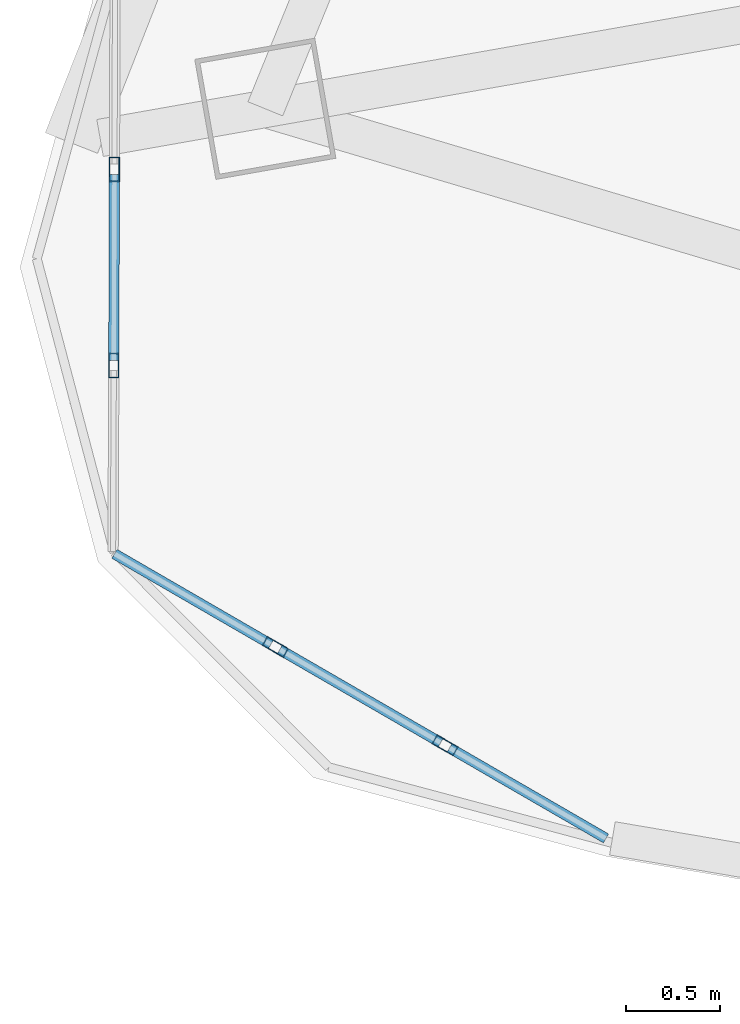
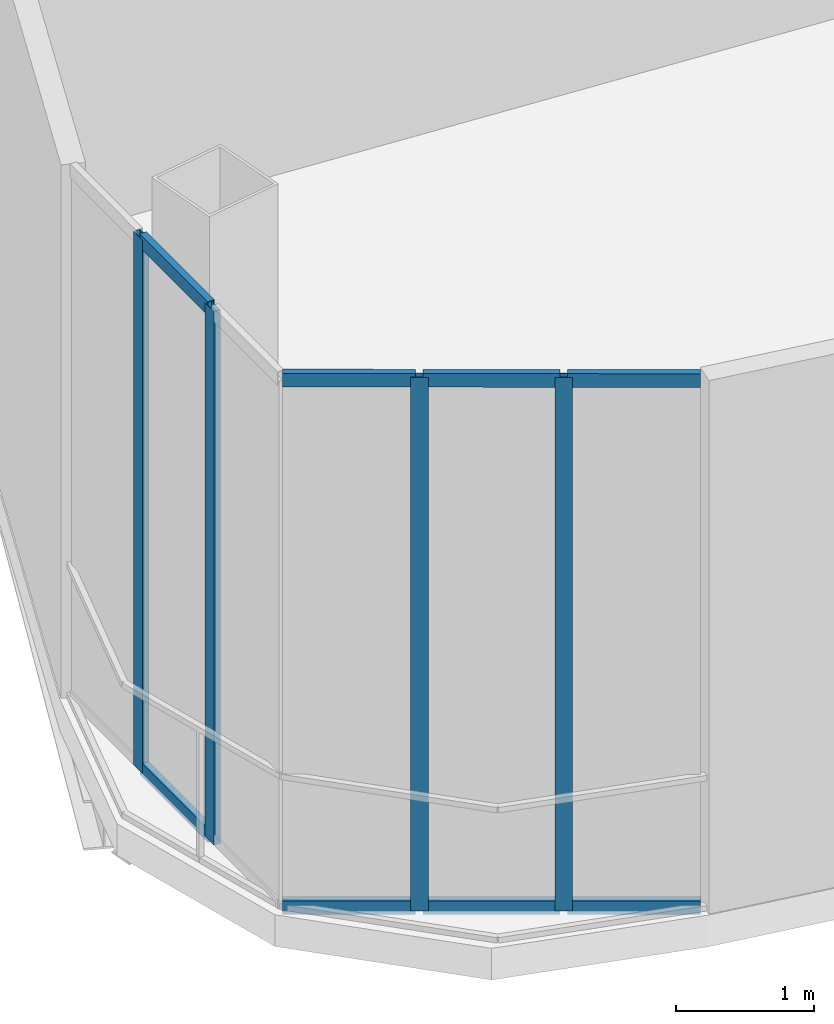
# One storey, part 2 of 33: 12 members, 2 elements without a shape of their own.
"""IFC4 building model written with IfcOpenShell, lengths in metres."""

from ifc_helpers import new_model, si_unit, direction, frame, origin, origin_2d, place, context, subcontext, project, spatial, hollow_rectangle, extrude, source, transform, mapped, material, layer, layer_set, material_profile, profile_set, type_object, element, aggregate, save


model = new_model("IFC4")

# Units and contexts
model_context = context("Model", 3, precision=1e-05, world=origin(), true_north=direction((0.0, 1.0)))
body_context = subcontext(model_context, "Body", "Model", "MODEL_VIEW")
ifc_project = project(units=[si_unit("LENGTHUNIT", "METRE"), si_unit("AREAUNIT", "SQUARE_METRE"), si_unit("VOLUMEUNIT", "CUBIC_METRE"), si_unit("PLANEANGLEUNIT", "RADIAN"), si_unit("MASSUNIT", "GRAM", prefix="KILO"), si_unit("THERMODYNAMICTEMPERATUREUNIT", "KELVIN"), si_unit("POWERUNIT", "WATT")], contexts=[model_context])

# Site, building, storey
site_placement = place(None, origin())
site = spatial("IfcSite", under=ifc_project, at=site_placement, CompositionType="ELEMENT")
building_placement = place(site_placement, origin())
building = spatial("IfcBuilding", under=site, at=building_placement, Name="Yunzhuo Pagoda Commons", CompositionType="ELEMENT")
storey_placement = place(building_placement, frame((0.0, 0.0, 391.760009765625)))
storey = spatial("IfcBuildingStorey", under=building, at=storey_placement, Name="L97", CompositionType="ELEMENT", Elevation=391.760009765625)

# Curtain wall, members
ifc_material = material(Name="Anodized aluminium 6063-T6", Category="aluminium")
ifc_layer = layer(ifc_material, 0.1298828125)
ifc_layer_set = layer_set([ifc_layer], Name="Anodized aluminium 6063-T6")
curtain_wall_type = type_object("IfcCurtainWallType", Name="CW-VTX Rounded Corner Curtain Wall", PredefinedType="NOTDEFINED", material=ifc_layer_set)
curtain_wall_1_placement = place(storey_placement, origin())
curtain_wall_1 = element("IfcCurtainWall", 1, at=curtain_wall_1_placement, inside=storey, type_object=curtain_wall_type, Name="L97 curtain wall CW-L97-CRNV1S1", PredefinedType="NOTDEFINED")
ifc_material_profile_1 = material_profile(ifc_material, hollow_rectangle(XDim=0.054931640625, YDim=0.1298828125, WallThickness=0.00341796875, at=origin_2d()), Name="Anodized aluminium 6063-T6")
ifc_profile_set_1 = profile_set([ifc_material_profile_1], Name="Anodized aluminium 6063-T6")
member_type_1 = type_object("IfcMemberType", Name="CW-VTX-M Mullion RHS 130x55x3.5", PredefinedType="MULLION", material=ifc_profile_set_1)
shared_shape_1 = source(origin(), body_context, "Body", "SweptSolid", [
    extrude(hollow_rectangle(XDim=0.054931640625, YDim=0.1298828125, WallThickness=0.00341796875, at=origin_2d()), origin(), (0.0, 0.0, 1.0), 4.72021484375),
])
member_1_placement = place(storey_placement, frame((22.72509765625, 29.0625, 0.0), z_axis=(0.0, 0.0, 1.0), x_axis=(0.99999363226, -0.003568674704, 0.0)))
member_1 = element("IfcMember", 2, at=member_1_placement, type_object=member_type_1, Name="CW mullion 2", PredefinedType="MULLION", context=body_context, shape_type="MappedRepresentation", body=[
    mapped(shared_shape_1, transform((0.0, 0.0, 0.0), scale=1.0)),
])
member_2_placement = place(storey_placement, frame((22.7216796875, 28.016357421875, 0.0), z_axis=(0.0, 0.0, 1.0), x_axis=(0.99999363226, -0.003568674704, 0.0)))
member_2 = element("IfcMember", 3, at=member_2_placement, type_object=member_type_1, Name="CW mullion 3", PredefinedType="MULLION", context=body_context, shape_type="MappedRepresentation", body=[
    mapped(shared_shape_1, transform((0.0, 0.0, 0.0), scale=1.0)),
])

curtain_wall_2_placement = place(storey_placement, origin())
curtain_wall_2 = element("IfcCurtainWall", 4, at=curtain_wall_2_placement, inside=storey, type_object=curtain_wall_type, Name="L97 curtain wall CW-L97-CRNV1S2", PredefinedType="NOTDEFINED")
member_3_placement = place(storey_placement, frame((23.583251953125, 26.515625, 0.0), z_axis=(0.0, 0.0, 1.0), x_axis=(0.501041294531, 0.865423376836, 0.0)))
member_3 = element("IfcMember", 5, at=member_3_placement, type_object=member_type_1, Name="CW mullion 2", PredefinedType="MULLION", context=body_context, shape_type="MappedRepresentation", body=[
    mapped(shared_shape_1, transform((0.0, 0.0, 0.0), scale=1.0)),
])
member_4_placement = place(storey_placement, frame((24.488525390625, 25.991455078125, 0.0), z_axis=(0.0, 0.0, 1.0), x_axis=(0.501041294531, 0.865423376836, 0.0)))
member_4 = element("IfcMember", 6, at=member_4_placement, type_object=member_type_1, Name="CW mullion 3", PredefinedType="MULLION", context=body_context, shape_type="MappedRepresentation", body=[
    mapped(shared_shape_1, transform((0.0, 0.0, 0.0), scale=1.0)),
])
ifc_material_profile_2 = material_profile(ifc_material, hollow_rectangle(XDim=0.054931640625, YDim=0.1201171875, WallThickness=0.00341796875, at=origin_2d()), Name="Anodized aluminium 6063-T6")
ifc_profile_set_2 = profile_set([ifc_material_profile_2], Name="Anodized aluminium 6063-T6")
member_type_2 = type_object("IfcMemberType", Name="CW-VTX-T Transom RHS 120x55x3.5", PredefinedType="USERDEFINED", material=ifc_profile_set_2)
shared_shape_2 = source(origin(), body_context, "Body", "SweptSolid", [
    extrude(hollow_rectangle(XDim=0.054931640625, YDim=0.1201171875, WallThickness=0.00341796875, at=origin_2d()), origin(), (0.0, 0.0, 1.0), 0.963623046875),
])
member_5_placement = place(storey_placement, frame((22.725341796875, 27.01220703125, 0.027587890625), z_axis=(0.865391594413, -0.501096186694, 0.0), x_axis=(0.501096186694, 0.865391594413, 0.0)))
member_5 = element("IfcMember", 7, at=member_5_placement, type_object=member_type_2, Name="CW transom 1.1", ObjectType="TRANSOM", PredefinedType="USERDEFINED", context=body_context, shape_type="MappedRepresentation", body=[
    mapped(shared_shape_2, transform((0.0, 0.0, 0.0), scale=1.0)),
])
member_6_placement = place(storey_placement, frame((22.725341796875, 27.01220703125, 4.6923828125), z_axis=(0.865391594413, -0.501096186694, 0.0), x_axis=(0.501096186694, 0.865391594413, 0.0)))
member_6 = element("IfcMember", 8, at=member_6_placement, type_object=member_type_2, Name="CW transom 1.2", ObjectType="TRANSOM", PredefinedType="USERDEFINED", context=body_context, shape_type="MappedRepresentation", body=[
    mapped(shared_shape_2, transform((0.0, 0.0, 0.0), scale=1.0)),
])

# Member
shared_shape_3 = source(origin(), body_context, "Body", "SweptSolid", [
    extrude(hollow_rectangle(XDim=0.054931640625, YDim=0.1201171875, WallThickness=0.00341796875, at=origin_2d()), origin(), (0.0, 0.0, 1.0), 0.990966796875),
])
member_7_placement = place(storey_placement, frame((22.72509765625, 29.034912109375, 0.027587890625), z_axis=(-0.003449104884, -0.99999405182, 0.0), x_axis=(0.99999405182, -0.003449104884, 0.0)))
member_7 = element("IfcMember", 9, at=member_7_placement, type_object=member_type_2, Name="CW transom 2.1", ObjectType="TRANSOM", PredefinedType="USERDEFINED", context=body_context, shape_type="MappedRepresentation", body=[
    mapped(shared_shape_3, transform((0.0, 0.0, 0.0), scale=1.0)),
])

member_8_placement = place(storey_placement, frame((22.72509765625, 29.034912109375, 4.6923828125), z_axis=(-0.003449104884, -0.99999405182, 0.0), x_axis=(0.99999405182, -0.003449104884, 0.0)))
member_8 = element("IfcMember", 10, at=member_8_placement, type_object=member_type_2, Name="CW transom 2.2", ObjectType="TRANSOM", PredefinedType="USERDEFINED", context=body_context, shape_type="MappedRepresentation", body=[
    mapped(shared_shape_3, transform((0.0, 0.0, 0.0), scale=1.0)),
])

aggregate(curtain_wall_1, [member_1, member_2, member_7, member_8])

shared_shape_4 = source(origin(), body_context, "Body", "SweptSolid", [
    extrude(hollow_rectangle(XDim=0.054931640625, YDim=0.1201171875, WallThickness=0.00341796875, at=origin_2d()), origin(), (0.0, 0.0, 1.0), 0.9912109375),
])
member_9_placement = place(storey_placement, frame((23.60693359375, 26.501708984375, 0.027587890625), z_axis=(0.86547124823, -0.500958599573, 0.0), x_axis=(0.500958599573, 0.86547124823, 0.0)))
member_9 = element("IfcMember", 11, at=member_9_placement, type_object=member_type_2, Name="CW transom 2.1", ObjectType="TRANSOM", PredefinedType="USERDEFINED", context=body_context, shape_type="MappedRepresentation", body=[
    mapped(shared_shape_4, transform((0.0, 0.0, 0.0), scale=1.0)),
])

member_10_placement = place(storey_placement, frame((23.60693359375, 26.501708984375, 4.6923828125), z_axis=(0.86547124823, -0.500958599573, 0.0), x_axis=(0.500958599573, 0.86547124823, 0.0)))
member_10 = element("IfcMember", 12, at=member_10_placement, type_object=member_type_2, Name="CW transom 2.2", ObjectType="TRANSOM", PredefinedType="USERDEFINED", context=body_context, shape_type="MappedRepresentation", body=[
    mapped(shared_shape_4, transform((0.0, 0.0, 0.0), scale=1.0)),
])

shared_shape_5 = source(origin(), body_context, "Body", "SweptSolid", [
    extrude(hollow_rectangle(XDim=0.054931640625, YDim=0.1201171875, WallThickness=0.00341796875, at=origin_2d()), origin(), (0.0, 0.0, 1.0), 0.96337890625),
])
member_11_placement = place(storey_placement, frame((24.512451171875, 25.9775390625, 0.027587890625), z_axis=(0.865437852253, -0.501016291041, 0.0), x_axis=(0.501016291041, 0.865437852253, 0.0)))
member_11 = element("IfcMember", 13, at=member_11_placement, type_object=member_type_2, Name="CW transom 3.1", ObjectType="TRANSOM", PredefinedType="USERDEFINED", context=body_context, shape_type="MappedRepresentation", body=[
    mapped(shared_shape_5, transform((0.0, 0.0, 0.0), scale=1.0)),
])

member_12_placement = place(storey_placement, frame((24.512451171875, 25.9775390625, 4.6923828125), z_axis=(0.865437852253, -0.501016291041, 0.0), x_axis=(0.501016291041, 0.865437852253, 0.0)))
member_12 = element("IfcMember", 14, at=member_12_placement, type_object=member_type_2, Name="CW transom 3.2", ObjectType="TRANSOM", PredefinedType="USERDEFINED", context=body_context, shape_type="MappedRepresentation", body=[
    mapped(shared_shape_5, transform((0.0, 0.0, 0.0), scale=1.0)),
])

aggregate(curtain_wall_2, [member_3, member_4, member_5, member_6, member_9, member_10, member_11, member_12])

save(model, "model.ifc")
